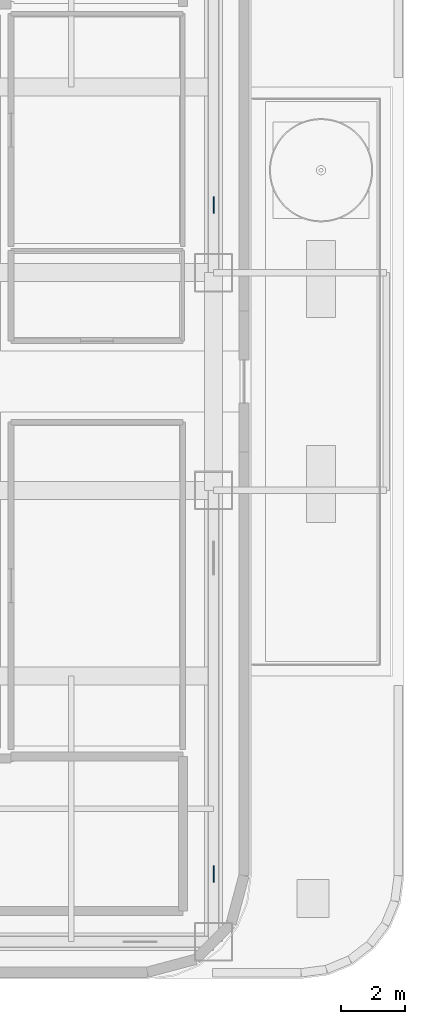
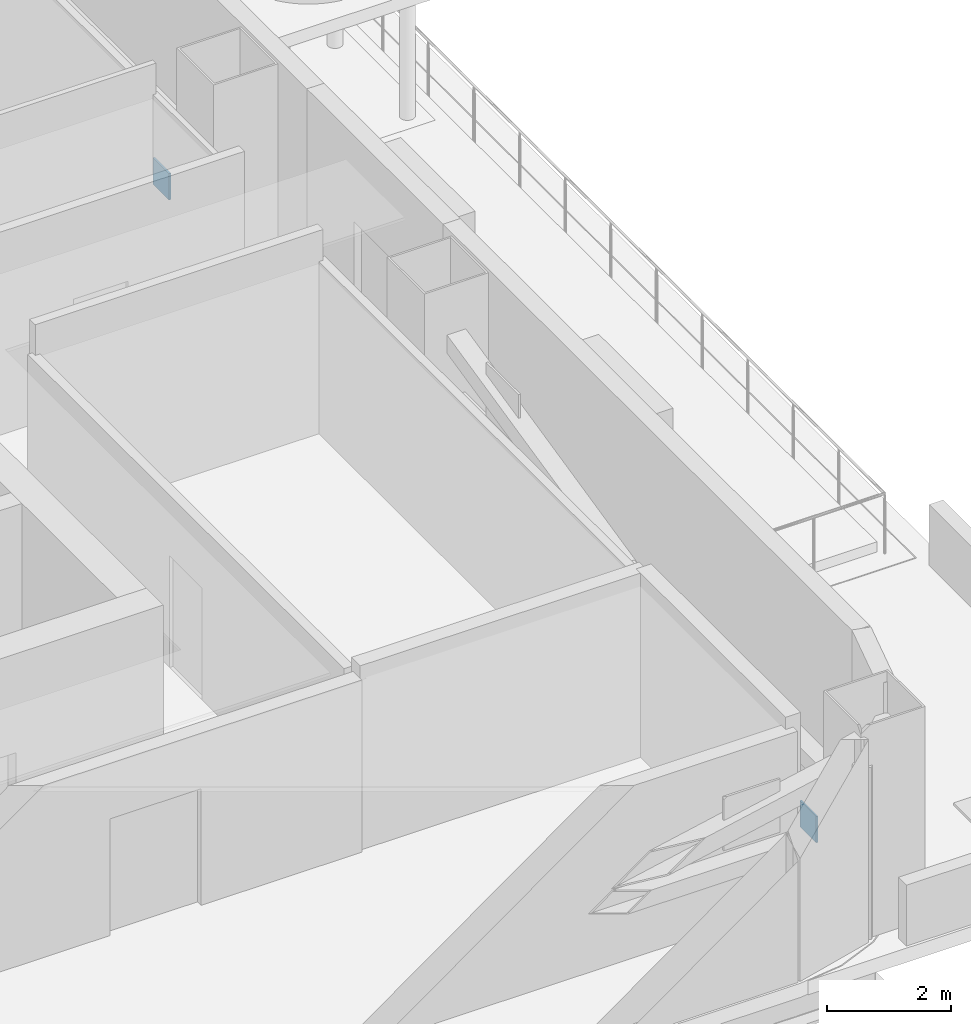
# One storey, part 10 of 31: 2 plates.
"""IFC4 building model written with IfcOpenShell, lengths in metres."""

from ifc_helpers import new_model, si_unit, direction, frame, origin, origin_2d, place, context, subcontext, project, spatial, rectangle, extrude, material, layer, layer_set, type_object, element, save


model = new_model("IFC4")

# Units and contexts
model_context = context("Model", 3, precision=1e-05, world=origin(), true_north=direction((0.0, 1.0)))
body_context = subcontext(model_context, "Body", "Model", "MODEL_VIEW")
ifc_project = project(units=[si_unit("LENGTHUNIT", "METRE"), si_unit("AREAUNIT", "SQUARE_METRE"), si_unit("VOLUMEUNIT", "CUBIC_METRE"), si_unit("PLANEANGLEUNIT", "RADIAN"), si_unit("MASSUNIT", "GRAM", prefix="KILO")], contexts=[model_context])

# Site, building, storey
site_placement = place(None, origin())
site = spatial("IfcSite", under=ifc_project, at=site_placement, CompositionType="ELEMENT")
building_placement = place(site_placement, origin())
building = spatial("IfcBuilding", under=site, at=building_placement, Name="Punatoya Terracotta Tower", CompositionType="ELEMENT")
storey_placement = place(building_placement, frame((0.0, 0.0, 283.800048828125)))
storey = spatial("IfcBuildingStorey", under=building, at=storey_placement, Name="L67", CompositionType="ELEMENT", Elevation=283.800048828125)

# Plates
ifc_material = material(Name="Steel S460", Category="steel")
ifc_layer = layer(ifc_material, 0.031982421875)
ifc_layer_set = layer_set([ifc_layer], Name="Steel S460")
plate_type = type_object("IfcPlateType", Name="PLT-END-32", PredefinedType="USERDEFINED", material=ifc_layer_set)
for number, where, z_axis, x_axis, name in (
    (1, (19.10009765625, -15.385009765625, 0.237060546875), (0.0, 0.0, 1.0), (0.0, 1.0, 0.0), "L67 Exoskeleton Base Node Plate E1"),
    (2, (19.10009765625, 5.514892578125, 0.237060546875), (0.0, 0.0, 1.0), (0.0, 1.0, 0.0), "L67 Exoskeleton Base Node Plate E3"),
):
    element("IfcPlate", number, at=place(storey_placement, frame(where, z_axis=z_axis, x_axis=x_axis)), inside=storey, type_object=plate_type, Name=name, ObjectType="FLANGE_PLATE", PredefinedType="USERDEFINED", context=body_context, shape_type="SweptSolid", body=[
        extrude(rectangle(XDim=0.52001953125, YDim=0.031982421875, at=origin_2d()), origin(), (0.0, 0.0, 1.0), 0.52001953125),
    ])

save(model, "model.ifc")
